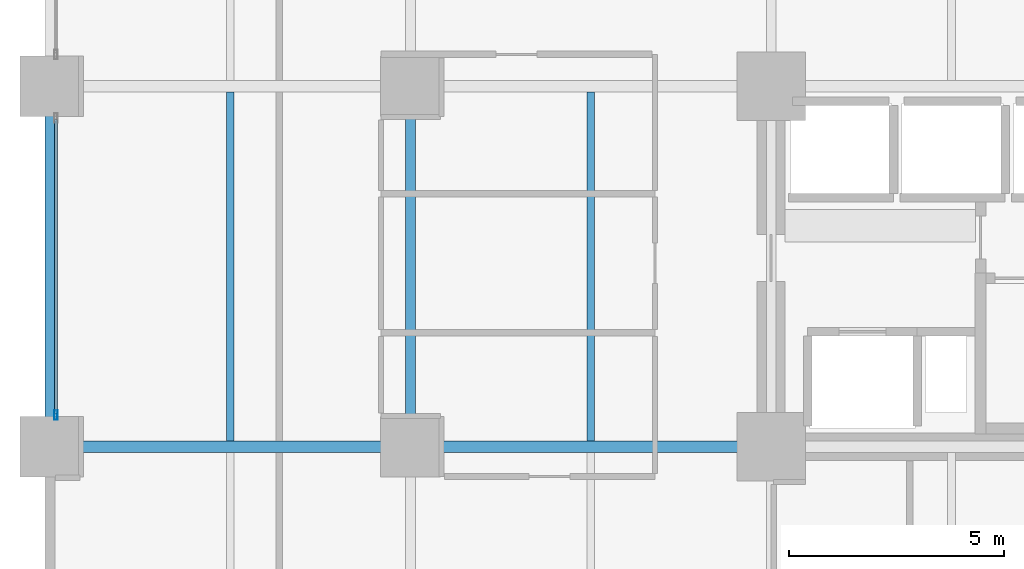
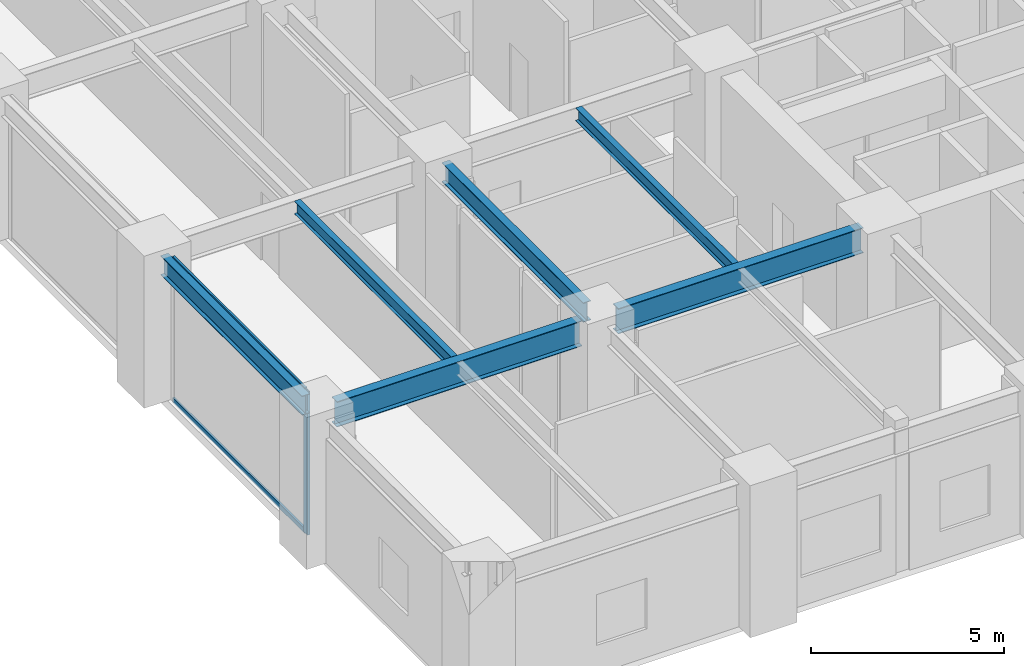
# One storey, part 2 of 23: 6 beams, 3 members, 1 element without a shape of its own.
"""IFC4 building model written with IfcOpenShell, lengths in metres."""

from ifc_helpers import new_model, si_unit, direction, frame, origin, origin_2d, place, context, subcontext, project, spatial, hollow_rectangle, i_section, extrude, material, layer, layer_set, material_profile, profile_set, type_object, element, aggregate, save


model = new_model("IFC4")

# Units and contexts
model_context = context("Model", 3, precision=1e-05, world=origin(), true_north=direction((0.0, 1.0)))
body_context = subcontext(model_context, "Body", "Model", "MODEL_VIEW")
ifc_project = project(units=[si_unit("LENGTHUNIT", "METRE"), si_unit("AREAUNIT", "SQUARE_METRE"), si_unit("VOLUMEUNIT", "CUBIC_METRE"), si_unit("PLANEANGLEUNIT", "RADIAN"), si_unit("MASSUNIT", "GRAM", prefix="KILO")], contexts=[model_context])

# Site, building, storey
site_placement = place(None, origin())
site = spatial("IfcSite", under=ifc_project, at=site_placement, CompositionType="ELEMENT")
building_placement = place(site_placement, origin())
building = spatial("IfcBuilding", under=site, at=building_placement, Name="Nerrivon Quay Data Exchange", CompositionType="ELEMENT")
storey_placement = place(building_placement, frame((0.0, 0.0, 5.39990234375)))
storey = spatial("IfcBuildingStorey", under=building, at=storey_placement, Name="L01", CompositionType="ELEMENT", Elevation=5.39990234375)

# Beams
ifc_material_1 = material(Name="Steel Grade 350", Category="steel")
ifc_material_profile_1 = material_profile(ifc_material_1, i_section(OverallWidth=0.22900390625, OverallDepth=0.612060546875, WebThickness=0.011962890625, FlangeThickness=0.01953125, FilletRadius=0.013916015625, at=origin_2d()), Name="610UB125")
ifc_profile_set_1 = profile_set([ifc_material_profile_1], Name="Steel Grade 350")
beam_type_1 = type_object("IfcBeamType", Name="BM-G1-610UB125", PredefinedType="BEAM", material=ifc_profile_set_1)
for number, where, z_axis, x_axis, name in (
    (1, (0.0, 8.93994140625, 4.218994140625), (0.0, 1.0, 0.0), (-1.0, 0.0, 0.0), "L01 NS Girder X=0.0 (8.4..16.8)"),
    (2, (8.39990234375, 8.93994140625, 4.218994140625), (0.0, 1.0, 0.0), (-1.0, 0.0, 0.0), "L01 NS Girder X=8.4 (8.4..16.8)"),
):
    element("IfcBeam", number, at=place(storey_placement, frame(where, z_axis=z_axis, x_axis=x_axis)), inside=storey, type_object=beam_type_1, Name=name, PredefinedType="BEAM", context=body_context, shape_type="SweptSolid", body=[
        extrude(i_section(OverallWidth=0.22900390625, OverallDepth=0.612060546875, WebThickness=0.011962890625, FlangeThickness=0.01953125, FilletRadius=0.013916015625, at=origin_2d()), origin(), (0.0, 0.0, 1.0), 7.320068359375),
    ])
ifc_material_profile_2 = material_profile(ifc_material_1, i_section(OverallWidth=0.27490234375, OverallDepth=0.800048828125, WebThickness=0.010009765625, FlangeThickness=0.02001953125, at=origin_2d()), Name="800WB146")
ifc_profile_set_2 = profile_set([ifc_material_profile_2], Name="Steel Grade 350")
beam_type_2 = type_object("IfcBeamType", Name="BM-G8-800WB146", PredefinedType="BEAM", material=ifc_profile_set_2)
for number, where, z_axis, x_axis, name in (
    (3, (0.5400390625, 8.39990234375, 4.125), (1.0, 0.0, 0.0), (0.0, 1.0, 0.0), "L01 EW Girder Y=8.4 (0.0..8.4)"),
    (4, (8.93994140625, 8.39990234375, 4.125), (1.0, 0.0, 0.0), (0.0, 1.0, 0.0), "L01 EW Girder Y=8.4 (8.4..16.8)"),
):
    element("IfcBeam", number, at=place(storey_placement, frame(where, z_axis=z_axis, x_axis=x_axis)), inside=storey, type_object=beam_type_2, Name=name, PredefinedType="BEAM", context=body_context, shape_type="SweptSolid", body=[
        extrude(i_section(OverallWidth=0.27490234375, OverallDepth=0.800048828125, WebThickness=0.010009765625, FlangeThickness=0.02001953125, at=origin_2d()), origin(), (0.0, 0.0, 1.0), 7.320068359375),
    ])
ifc_material_profile_3 = material_profile(ifc_material_1, i_section(OverallWidth=0.177978515625, OverallDepth=0.403076171875, WebThickness=0.007568359375, FlangeThickness=0.010986328125, FilletRadius=0.011474609375, at=origin_2d()), Name="410UB53.7")
ifc_profile_set_3 = profile_set([ifc_material_profile_3], Name="Steel Grade 350")
beam_type_3 = type_object("IfcBeamType", Name="BM-J2-410UB54", PredefinedType="JOIST", material=ifc_profile_set_3)
for number, where, z_axis, x_axis, name in (
    (5, (4.199951171875, 8.53759765625, 4.323486328125), (0.0, 1.0, 0.0), (-1.0, 0.0, 0.0), "L01 Secondary Joist X=4.2 (8.4..16.8)"),
    (6, (12.60009765625, 8.53759765625, 4.323486328125), (0.0, 1.0, 0.0), (-1.0, 0.0, 0.0), "L01 Secondary Joist X=12.6 (8.4..16.8)"),
):
    element("IfcBeam", number, at=place(storey_placement, frame(where, z_axis=z_axis, x_axis=x_axis)), inside=storey, type_object=beam_type_3, Name=name, PredefinedType="JOIST", context=body_context, shape_type="SweptSolid", body=[
        extrude(i_section(OverallWidth=0.177978515625, OverallDepth=0.403076171875, WebThickness=0.007568359375, FlangeThickness=0.010986328125, FilletRadius=0.011474609375, at=origin_2d()), origin(), (0.0, 0.0, 1.0), 8.125),
    ])

# Curtain wall, members
ifc_material_2 = material(Name="Anodised aluminium 6063-T6", Category="aluminium")
ifc_layer = layer(ifc_material_2, 0.239990234375)
ifc_layer_set = layer_set([ifc_layer], Name="Anodised aluminium 6063-T6")
curtain_wall_type = type_object("IfcCurtainWallType", Name="CW-SYS-03", PredefinedType="NOTDEFINED", material=ifc_layer_set)
curtain_wall_placement = place(storey_placement, origin())
curtain_wall = element("IfcCurtainWall", 7, at=curtain_wall_placement, inside=storey, type_object=curtain_wall_type, Name="L01 Unitised Curtain Wall 2", PredefinedType="NOTDEFINED")
ifc_material_profile_4 = material_profile(ifc_material_2, hollow_rectangle(XDim=0.074951171875, YDim=0.219970703125, WallThickness=0.00390625, at=origin_2d()), Name="ALU-MULL-220x75")
ifc_profile_set_4 = profile_set([ifc_material_profile_4], Name="Anodised aluminium 6063-T6")
member_type_1 = type_object("IfcMemberType", Name="CWM-220x75", PredefinedType="MULLION", material=ifc_profile_set_4)
member_1_placement = place(storey_placement, frame((0.139892578125, 9.137451171875, 0.0), z_axis=(0.0, 0.0, 1.0), x_axis=(-1.0, 0.0, 0.0)))
member_1 = element("IfcMember", 8, at=member_1_placement, type_object=member_type_1, Name="CW03 mullion 1", PredefinedType="MULLION", context=body_context, shape_type="SweptSolid", body=[
    extrude(hollow_rectangle(XDim=0.074951171875, YDim=0.219970703125, WallThickness=0.00390625, at=origin_2d()), origin(), (0.0, 0.0, 1.0), 4.525146484375),
])
ifc_material_profile_5 = material_profile(ifc_material_2, hollow_rectangle(XDim=0.06494140625, YDim=0.14990234375, WallThickness=0.00341796875, at=origin_2d()), Name="ALU-TRAN-150x65")
ifc_profile_set_5 = profile_set([ifc_material_profile_5], Name="Anodised aluminium 6063-T6")
member_type_2 = type_object("IfcMemberType", Name="CWT-150x65", PredefinedType="USERDEFINED", material=ifc_profile_set_5)
member_2_placement = place(storey_placement, frame((0.139892578125, 9.175048828125, 0.03271484375), z_axis=(0.0, 1.0, 0.0), x_axis=(-1.0, 0.0, 0.0)))
member_2 = element("IfcMember", 9, at=member_2_placement, type_object=member_type_2, Name="CW03 transom 1.1", ObjectType="TRANSOM", PredefinedType="USERDEFINED", context=body_context, shape_type="SweptSolid", body=[
    extrude(hollow_rectangle(XDim=0.06494140625, YDim=0.14990234375, WallThickness=0.00341796875, at=origin_2d()), origin(), (0.0, 0.0, 1.0), 6.849853515625),
])
member_3_placement = place(storey_placement, frame((0.139892578125, 9.175048828125, 4.49267578125), z_axis=(0.0, 1.0, 0.0), x_axis=(-1.0, 0.0, 0.0)))
member_3 = element("IfcMember", 10, at=member_3_placement, type_object=member_type_2, Name="CW03 transom 1.2", ObjectType="TRANSOM", PredefinedType="USERDEFINED", context=body_context, shape_type="SweptSolid", body=[
    extrude(hollow_rectangle(XDim=0.06494140625, YDim=0.14990234375, WallThickness=0.00341796875, at=origin_2d()), origin(), (0.0, 0.0, 1.0), 6.849853515625),
])
aggregate(curtain_wall, [member_1, member_2, member_3])

save(model, "model.ifc")
